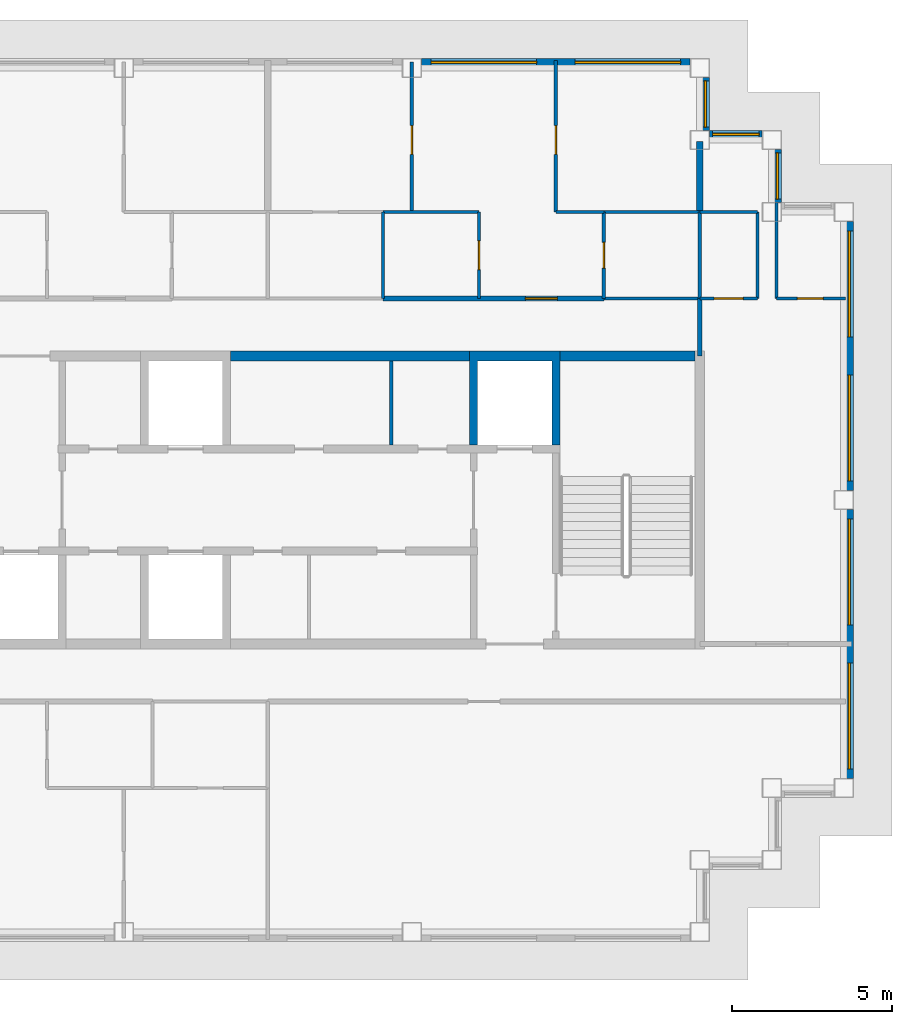
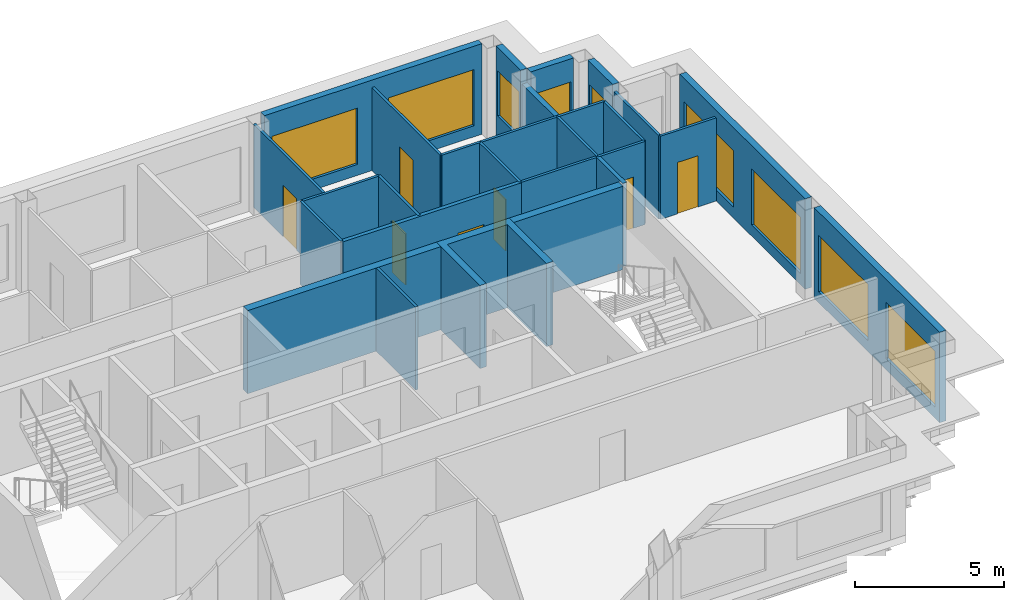
# One storey, part 6 of 12: 28 walls, 9 windows, 7 doors, 16 openings.
"""IFC4 building model written with IfcOpenShell, lengths in metres."""

from ifc_helpers import new_model, si_unit, direction, frame, frame_2d, origin, place, context, subcontext, project, spatial, polyline, rectangle, outline, extrude, material, layer, layer_set, type_object, element, fill, save


model = new_model("IFC4")

# Units and contexts
model_context = context("Model", 3, precision=1e-05, world=origin(), true_north=direction((0.0, 1.0)))
body_context = subcontext(model_context, "Body", "Model", "MODEL_VIEW")
ifc_project = project(units=[si_unit("LENGTHUNIT", "METRE"), si_unit("AREAUNIT", "SQUARE_METRE"), si_unit("VOLUMEUNIT", "CUBIC_METRE"), si_unit("PLANEANGLEUNIT", "RADIAN"), si_unit("MASSUNIT", "GRAM", prefix="KILO")], contexts=[model_context])

# Site, building, storey
site_placement = place(None, origin())
site = spatial("IfcSite", under=ifc_project, at=site_placement, CompositionType="ELEMENT")
building_placement = place(site_placement, origin())
building = spatial("IfcBuilding", under=site, at=building_placement, Name="Caravel Reach Hotel and Residences", CompositionType="ELEMENT")
storey_placement = place(building_placement, frame((0.0, 0.0, 245.300048828125)))
storey = spatial("IfcBuildingStorey", under=building, at=storey_placement, Name="L62", CompositionType="ELEMENT", Elevation=245.300048828125)

# Wall
ifc_material_1 = material(Name="Gypsum board on steel stud", Category="steel")
ifc_layer_1 = layer(ifc_material_1, 0.10009765625)
ifc_layer_set_1 = layer_set([ifc_layer_1], Name="Bathroom pod wall 100 mm")
wall_type_1 = type_object("IfcWallType", Name="Bathroom pod wall 100 mm", PredefinedType="PARTITIONING", material=ifc_layer_set_1)
wall_1_placement = place(storey_placement, frame((42.0, 33.300048828125, 0.0), z_axis=(0.0, 0.0, 1.0), x_axis=(1.0, 0.0, 0.0)))
element("IfcWall", 1, at=wall_1_placement, inside=storey, type_object=wall_type_1, Name="L62 wall w059", PredefinedType="PARTITIONING", context=body_context, shape_type="SweptSolid", body=[
    extrude(rectangle(XDim=3.0, YDim=0.10009765625, at=frame_2d((1.5, 0.0))), origin(), (0.0, 0.0, 1.0), 3.39990234375),
])

# Wall, opening, door
wall_2_placement = place(storey_placement, frame((47.39990234375, 33.300048828125, 0.0), z_axis=(0.0, 0.0, 1.0), x_axis=(1.0, 0.0, 0.0)))
wall_2 = element("IfcWall", 2, at=wall_2_placement, inside=storey, type_object=wall_type_1, Name="L62 wall w061", PredefinedType="PARTITIONING", context=body_context, shape_type="SweptSolid", body=[
    extrude(rectangle(XDim=2.150146484375, YDim=0.10009765625, at=frame_2d((1.0751953125, 0.0))), origin(), (0.0, 0.0, 1.0), 3.39990234375),
])
opening_1_placement = place(wall_2_placement, frame((0.64990234375, 0.0, 0.0)))
opening_1 = element("IfcOpeningElement", 3, at=opening_1_placement, cuts=wall_2, Name="Opening D62-042", PredefinedType="OPENING", context=body_context, shape_type="SweptSolid", body=[
    extrude(rectangle(XDim=0.800048828125, YDim=2.10009765625, at=frame_2d((0.39990234375, 1.050048828125))), frame((0.0, 0.06005859375, 0.0), z_axis=(0.0, -1.0, 0.0), x_axis=(1.0, 0.0, 0.0)), (0.0, 0.0, 1.0), 0.1201171875),
])
ifc_material_2 = material(Name="Timber and steel door leaf", Category="steel")
door_type_1 = type_object("IfcDoorType", Name="Bathroom door 800 x 2100", OperationType="SINGLE_SWING_LEFT", PredefinedType="DOOR", material=ifc_material_2)
door_1_placement = place(opening_1_placement, origin())
door_1 = element("IfcDoor", 4, at=door_1_placement, inside=storey, type_object=door_type_1, Name="door D62-042", OperationType="SINGLE_SWING_LEFT", OverallHeight=2.10009765625, OverallWidth=0.800048828125, PredefinedType="DOOR", context=body_context, shape_type="SweptSolid", body=[
    extrude(rectangle(XDim=0.800048828125, YDim=2.10009765625, at=frame_2d((0.39990234375, 1.050048828125))), frame((0.0, 0.02490234375, 0.0), z_axis=(0.0, -1.0, 0.0), x_axis=(1.0, 0.0, 0.0)), (0.0, 0.0, 1.0), 0.050048828125),
])
fill(opening_1, door_1)

# Walls
wall_3_placement = place(storey_placement, frame((42.0, 36.0, 0.0), z_axis=(0.0, 0.0, 1.0), x_axis=(1.0, 0.0, 0.0)))
element("IfcWall", 5, at=wall_3_placement, inside=storey, type_object=wall_type_1, Name="L62 wall w064", PredefinedType="PARTITIONING", context=body_context, shape_type="SweptSolid", body=[
    extrude(rectangle(XDim=3.0, YDim=0.10009765625, at=frame_2d((1.5, 0.0))), origin(), (0.0, 0.0, 1.0), 3.39990234375),
])
wall_4_placement = place(storey_placement, frame((35.10009765625, 33.300048828125, 0.0), z_axis=(0.0, 0.0, 1.0), x_axis=(0.0, 1.0, 0.0)))
element("IfcWall", 6, at=wall_4_placement, inside=storey, type_object=wall_type_1, Name="L62 wall w074", PredefinedType="PARTITIONING", context=body_context, shape_type="SweptSolid", body=[
    extrude(rectangle(XDim=2.699951171875, YDim=0.10009765625, at=frame_2d((1.35009765625, 0.0))), origin(), (0.0, 0.0, 1.0), 3.39990234375),
])

# Wall, opening, door
wall_5_placement = place(storey_placement, frame((42.0, 33.300048828125, 0.0), z_axis=(0.0, 0.0, 1.0), x_axis=(0.0, 1.0, 0.0)))
wall_5 = element("IfcWall", 7, at=wall_5_placement, inside=storey, type_object=wall_type_1, Name="L62 wall w076", PredefinedType="PARTITIONING", context=body_context, shape_type="SweptSolid", body=[
    extrude(rectangle(XDim=2.699951171875, YDim=0.10009765625, at=frame_2d((1.35009765625, 0.0))), origin(), (0.0, 0.0, 1.0), 3.39990234375),
])
opening_2_placement = place(wall_5_placement, frame((0.949951171875, 0.0, 0.0)))
opening_2 = element("IfcOpeningElement", 8, at=opening_2_placement, cuts=wall_5, Name="Opening D62-026", PredefinedType="OPENING", context=body_context, shape_type="SweptSolid", body=[
    extrude(rectangle(XDim=0.800048828125, YDim=2.10009765625, at=frame_2d((0.39990234375, 1.050048828125))), frame((0.0, 0.06005859375, 0.0), z_axis=(0.0, -1.0, 0.0), x_axis=(1.0, 0.0, 0.0)), (0.0, 0.0, 1.0), 0.1201171875),
])
door_2_placement = place(opening_2_placement, origin())
door_2 = element("IfcDoor", 9, at=door_2_placement, inside=storey, type_object=door_type_1, Name="door D62-026", OperationType="SINGLE_SWING_RIGHT", OverallHeight=2.10009765625, OverallWidth=0.800048828125, PredefinedType="DOOR", context=body_context, shape_type="SweptSolid", body=[
    extrude(rectangle(XDim=0.800048828125, YDim=2.10009765625, at=frame_2d((0.39990234375, 1.050048828125))), frame((0.0, 0.02490234375, 0.0), z_axis=(0.0, -1.0, 0.0), x_axis=(1.0, 0.0, 0.0)), (0.0, 0.0, 1.0), 0.050048828125),
])
fill(opening_2, door_2)

# Walls
wall_6_placement = place(storey_placement, frame((45.0, 33.300048828125, 0.0), z_axis=(0.0, 0.0, 1.0), x_axis=(0.0, 1.0, 0.0)))
element("IfcWall", 10, at=wall_6_placement, inside=storey, type_object=wall_type_1, Name="L62 wall w077", PredefinedType="PARTITIONING", context=body_context, shape_type="SweptSolid", body=[
    extrude(rectangle(XDim=2.699951171875, YDim=0.10009765625, at=frame_2d((1.35009765625, 0.0))), origin(), (0.0, 0.0, 1.0), 3.39990234375),
])
wall_7_placement = place(storey_placement, frame((47.39990234375, 33.300048828125, 0.0), z_axis=(0.0, 0.0, 1.0), x_axis=(0.0, 1.0, 0.0)))
element("IfcWall", 11, at=wall_7_placement, inside=storey, type_object=wall_type_1, Name="L62 wall w078", PredefinedType="PARTITIONING", context=body_context, shape_type="SweptSolid", body=[
    extrude(rectangle(XDim=3.0, YDim=0.10009765625, at=frame_2d((1.5, 0.0))), origin(), (0.0, 0.0, 1.0), 3.39990234375),
])
ifc_material_3 = material(Name="Concrete C60", Category="concrete")
ifc_layer_2 = layer(ifc_material_3, 0.300048828125)
ifc_layer_set_2 = layer_set([ifc_layer_2], Name="Core wall 300 mm EI 120")
wall_type_2 = type_object("IfcWallType", Name="Core wall 300 mm EI 120", PredefinedType="SHEAR", material=ifc_layer_set_2)
wall_8_placement = place(storey_placement, frame((30.33935546875, 31.5, 0.0), z_axis=(0.0, 0.0, 1.0), x_axis=(1.0, 0.0, 0.0)))
element("IfcWall", 12, at=wall_8_placement, inside=storey, type_object=wall_type_2, Name="L62 core wall N2", PredefinedType="SHEAR", context=body_context, shape_type="SweptSolid", body=[
    extrude(rectangle(XDim=7.464111328125, YDim=0.300048828125, at=frame_2d((3.73193359375, 0.0))), origin(), (0.0, 0.0, 1.0), 3.39990234375),
])
wall_9_placement = place(storey_placement, frame((40.625, 31.5, 0.0), z_axis=(0.0, 0.0, 1.0), x_axis=(1.0, 0.0, 0.0)))
element("IfcWall", 13, at=wall_9_placement, inside=storey, type_object=wall_type_2, Name="L62 core wall N3", PredefinedType="SHEAR", context=body_context, shape_type="SweptSolid", body=[
    extrude(rectangle(XDim=4.22509765625, YDim=0.300048828125, at=frame_2d((2.112548828125, 0.0))), origin(), (0.0, 0.0, 1.0), 3.39990234375),
])

# Wall, opening, door
ifc_material_4 = material(Name="Gypsum board on steel stud, fire-rated", Category="steel")
ifc_layer_3 = layer(ifc_material_4, 0.14990234375)
ifc_layer_set_3 = layer_set([ifc_layer_3], Name="Corridor wall 150 mm EI 60")
wall_type_3 = type_object("IfcWallType", Name="Corridor wall 150 mm EI 60", PredefinedType="PARTITIONING", material=ifc_layer_set_3)
wall_10_placement = place(storey_placement, frame((35.10009765625, 33.300048828125, 0.0), z_axis=(0.0, 0.0, 1.0), x_axis=(1.0, 0.0, 0.0)))
wall_10 = element("IfcWall", 14, at=wall_10_placement, inside=storey, type_object=wall_type_3, Name="L62 wall w013", PredefinedType="PARTITIONING", context=body_context, shape_type="SweptSolid", body=[
    extrude(rectangle(XDim=6.89990234375, YDim=0.14990234375, at=frame_2d((3.449951171875, 0.0))), origin(), (0.0, 0.0, 1.0), 3.39990234375),
])
opening_3_placement = place(wall_10_placement, frame((4.449951171875, 0.0, 0.0)))
opening_3 = element("IfcOpeningElement", 15, at=opening_3_placement, cuts=wall_10, Name="Opening D62-023", PredefinedType="OPENING", context=body_context, shape_type="SweptSolid", body=[
    extrude(rectangle(XDim=1.0, YDim=2.199951171875, at=frame_2d((0.5, 1.10009765625))), frame((0.0, 0.0849609375, 0.0), z_axis=(0.0, -1.0, 0.0), x_axis=(1.0, 0.0, 0.0)), (0.0, 0.0, 1.0), 0.169921875),
])
ifc_material_5 = material(Name="Steel fire door leaf", Category="steel")
door_type_2 = type_object("IfcDoorType", Name="Flat entrance door 1000 x 2200 EI 60", OperationType="SINGLE_SWING_LEFT", PredefinedType="DOOR", material=ifc_material_5)
door_3_placement = place(opening_3_placement, origin())
door_3 = element("IfcDoor", 16, at=door_3_placement, inside=storey, type_object=door_type_2, Name="door D62-023", OperationType="SINGLE_SWING_RIGHT", OverallHeight=2.199951171875, OverallWidth=1.0, PredefinedType="DOOR", context=body_context, shape_type="SweptSolid", body=[
    extrude(rectangle(XDim=1.0, YDim=2.199951171875, at=frame_2d((0.5, 1.10009765625))), frame((0.0, 0.02490234375, 0.0), z_axis=(0.0, -1.0, 0.0), x_axis=(1.0, 0.0, 0.0)), (0.0, 0.0, 1.0), 0.050048828125),
])
fill(opening_3, door_3)

# Wall
wall_11_placement = place(storey_placement, frame((45.0, 31.5, 0.0), z_axis=(0.0, 0.0, 1.0), x_axis=(0.0, 1.0, 0.0)))
element("IfcWall", 17, at=wall_11_placement, inside=storey, type_object=wall_type_3, Name="L62 wall w018", PredefinedType="PARTITIONING", context=body_context, shape_type="SweptSolid", body=[
    extrude(rectangle(XDim=1.800048828125, YDim=0.14990234375, at=frame_2d((0.89990234375, 0.0))), origin(), (0.0, 0.0, 1.0), 3.39990234375),
])

# Wall, openings, windows
ifc_material_6 = material(Name="Insulated rainscreen wall, aluminium cladding", Category="aluminium")
ifc_layer_4 = layer(ifc_material_6, 0.25)
ifc_layer_set_4 = layer_set([ifc_layer_4], Name="EW1 Tower rainscreen wall")
wall_type_4 = type_object("IfcWallType", Name="EW1 Tower rainscreen wall", PredefinedType="SOLIDWALL", material=ifc_layer_set_4)
wall_12_placement = place(storey_placement, frame((49.675048828125, 18.300048828125, 0.0), z_axis=(0.0, 0.0, 1.0), x_axis=(0.0, 1.0, 0.0)))
wall_12 = element("IfcWall", 18, at=wall_12_placement, inside=storey, type_object=wall_type_4, Name="External wall L62 E9.1", PredefinedType="SOLIDWALL", context=body_context, shape_type="SweptSolid", body=[
    extrude(rectangle(XDim=8.39990234375, YDim=0.25, at=frame_2d((4.199951171875, 0.0))), origin(), (0.0, 0.0, 1.0), 3.699951171875),
])
opening_4_placement = place(wall_12_placement, frame((0.300048828125, 0.0, 0.449951171875)))
opening_4 = element("IfcOpeningElement", 19, at=opening_4_placement, cuts=wall_12, Name="Opening WN15", PredefinedType="OPENING", context=body_context, shape_type="SweptSolid", body=[
    extrude(rectangle(XDim=3.300048828125, YDim=2.300048828125, at=frame_2d((1.64990234375, 1.14990234375))), frame((0.0, 0.135009765625, 0.0), z_axis=(0.0, -1.0, 0.0), x_axis=(1.0, 0.0, 0.0)), (0.0, 0.0, 1.0), 0.27001953125),
])
opening_5_placement = place(wall_12_placement, frame((4.800048828125, 0.0, 0.449951171875)))
opening_5 = element("IfcOpeningElement", 20, at=opening_5_placement, cuts=wall_12, Name="Opening WN15", PredefinedType="OPENING", context=body_context, shape_type="SweptSolid", body=[
    extrude(rectangle(XDim=3.300048828125, YDim=2.300048828125, at=frame_2d((1.64990234375, 1.14990234375))), frame((0.0, 0.135009765625, 0.0), z_axis=(0.0, -1.0, 0.0), x_axis=(1.0, 0.0, 0.0)), (0.0, 0.0, 1.0), 0.27001953125),
])
ifc_material_7 = material(Name="Dark low-e glazing in black aluminium frame", Category="aluminium")
window_type_1 = type_object("IfcWindowType", Name="Residence living window 3300 x 2300", PartitioningType="SINGLE_PANEL", PredefinedType="WINDOW", material=ifc_material_7)
window_1_placement = place(opening_4_placement, origin())
window_1 = element("IfcWindow", 21, at=window_1_placement, inside=storey, type_object=window_type_1, Name="Window L62 E9.1.1", OverallHeight=2.300048828125, OverallWidth=3.300048828125, PartitioningType="SINGLE_PANEL", PredefinedType="WINDOW", context=body_context, shape_type="SweptSolid", body=[
    extrude(rectangle(XDim=3.300048828125, YDim=2.300048828125, at=frame_2d((1.64990234375, 1.14990234375))), frame((0.0, 0.030029296875, 0.0), z_axis=(0.0, -1.0, 0.0), x_axis=(1.0, 0.0, 0.0)), (0.0, 0.0, 1.0), 0.06005859375),
])
fill(opening_4, window_1)
window_2_placement = place(opening_5_placement, origin())
window_2 = element("IfcWindow", 22, at=window_2_placement, inside=storey, type_object=window_type_1, Name="Window L62 E9.1.2", OverallHeight=2.300048828125, OverallWidth=3.300048828125, PartitioningType="SINGLE_PANEL", PredefinedType="WINDOW", context=body_context, shape_type="SweptSolid", body=[
    extrude(rectangle(XDim=3.300048828125, YDim=2.300048828125, at=frame_2d((1.64990234375, 1.14990234375))), frame((0.0, 0.030029296875, 0.0), z_axis=(0.0, -1.0, 0.0), x_axis=(1.0, 0.0, 0.0)), (0.0, 0.0, 1.0), 0.06005859375),
])
fill(opening_5, window_2)

wall_13_placement = place(storey_placement, frame((49.675048828125, 27.300048828125, 0.0), z_axis=(0.0, 0.0, 1.0), x_axis=(0.0, 1.0, 0.0)))
wall_13 = element("IfcWall", 23, at=wall_13_placement, inside=storey, type_object=wall_type_4, Name="External wall L62 E9.2", PredefinedType="SOLIDWALL", context=body_context, shape_type="SweptSolid", body=[
    extrude(rectangle(XDim=8.39990234375, YDim=0.25, at=frame_2d((4.199951171875, 0.0))), origin(), (0.0, 0.0, 1.0), 3.699951171875),
])
opening_6_placement = place(wall_13_placement, frame((0.300048828125, 0.0, 0.449951171875)))
opening_6 = element("IfcOpeningElement", 24, at=opening_6_placement, cuts=wall_13, Name="Opening WN15", PredefinedType="OPENING", context=body_context, shape_type="SweptSolid", body=[
    extrude(rectangle(XDim=3.300048828125, YDim=2.300048828125, at=frame_2d((1.64990234375, 1.14990234375))), frame((0.0, 0.135009765625, 0.0), z_axis=(0.0, -1.0, 0.0), x_axis=(1.0, 0.0, 0.0)), (0.0, 0.0, 1.0), 0.27001953125),
])
opening_7_placement = place(wall_13_placement, frame((4.800048828125, 0.0, 0.449951171875)))
opening_7 = element("IfcOpeningElement", 25, at=opening_7_placement, cuts=wall_13, Name="Opening WN15", PredefinedType="OPENING", context=body_context, shape_type="SweptSolid", body=[
    extrude(rectangle(XDim=3.300048828125, YDim=2.300048828125, at=frame_2d((1.64990234375, 1.14990234375))), frame((0.0, 0.135009765625, 0.0), z_axis=(0.0, -1.0, 0.0), x_axis=(1.0, 0.0, 0.0)), (0.0, 0.0, 1.0), 0.27001953125),
])
window_3_placement = place(opening_6_placement, origin())
window_3 = element("IfcWindow", 26, at=window_3_placement, inside=storey, type_object=window_type_1, Name="Window L62 E9.2.1", OverallHeight=2.300048828125, OverallWidth=3.300048828125, PartitioningType="SINGLE_PANEL", PredefinedType="WINDOW", context=body_context, shape_type="SweptSolid", body=[
    extrude(rectangle(XDim=3.300048828125, YDim=2.300048828125, at=frame_2d((1.64990234375, 1.14990234375))), frame((0.0, 0.030029296875, 0.0), z_axis=(0.0, -1.0, 0.0), x_axis=(1.0, 0.0, 0.0)), (0.0, 0.0, 1.0), 0.06005859375),
])
fill(opening_6, window_3)
window_4_placement = place(opening_7_placement, origin())
window_4 = element("IfcWindow", 27, at=window_4_placement, inside=storey, type_object=window_type_1, Name="Window L62 E9.2.2", OverallHeight=2.300048828125, OverallWidth=3.300048828125, PartitioningType="SINGLE_PANEL", PredefinedType="WINDOW", context=body_context, shape_type="SweptSolid", body=[
    extrude(rectangle(XDim=3.300048828125, YDim=2.300048828125, at=frame_2d((1.64990234375, 1.14990234375))), frame((0.0, 0.030029296875, 0.0), z_axis=(0.0, -1.0, 0.0), x_axis=(1.0, 0.0, 0.0)), (0.0, 0.0, 1.0), 0.06005859375),
])
fill(opening_7, window_4)

# Wall, opening, window
wall_14_placement = place(storey_placement, frame((47.425048828125, 36.300048828125, 0.0), z_axis=(0.0, 0.0, 1.0), x_axis=(0.0, 1.0, 0.0)))
wall_14 = element("IfcWall", 28, at=wall_14_placement, inside=storey, type_object=wall_type_4, Name="External wall L62 E11.1", PredefinedType="SOLIDWALL", context=body_context, shape_type="SweptSolid", body=[
    extrude(rectangle(XDim=1.64990234375, YDim=0.25, at=frame_2d((0.824951171875, 0.0))), origin(), (0.0, 0.0, 1.0), 3.699951171875),
])
opening_8_placement = place(wall_14_placement, frame((0.10009765625, 0.0, 0.89990234375)))
opening_8 = element("IfcOpeningElement", 29, at=opening_8_placement, cuts=wall_14, Name="Opening WN25", PredefinedType="OPENING", context=body_context, shape_type="SweptSolid", body=[
    extrude(rectangle(XDim=1.449951171875, YDim=1.85009765625, at=frame_2d((0.72509765625, 0.925048828125))), frame((0.0, 0.135009765625, 0.0), z_axis=(0.0, -1.0, 0.0), x_axis=(1.0, 0.0, 0.0)), (0.0, 0.0, 1.0), 0.27001953125),
])
ifc_material_8 = material(Name="Dark low-e glazing in black aluminium frame", Category="aluminium")
window_type_2 = type_object("IfcWindowType", Name="Residence bedroom window 1450 x 1850", PartitioningType="SINGLE_PANEL", PredefinedType="WINDOW", material=ifc_material_8)
window_5_placement = place(opening_8_placement, origin())
window_5 = element("IfcWindow", 30, at=window_5_placement, inside=storey, type_object=window_type_2, Name="Window L62 E11.1.1", OverallHeight=1.85009765625, OverallWidth=1.449951171875, PartitioningType="SINGLE_PANEL", PredefinedType="WINDOW", context=body_context, shape_type="SweptSolid", body=[
    extrude(rectangle(XDim=1.449951171875, YDim=1.85009765625, at=frame_2d((0.72509765625, 0.925048828125))), frame((0.0, 0.030029296875, 0.0), z_axis=(0.0, -1.0, 0.0), x_axis=(1.0, 0.0, 0.0)), (0.0, 0.0, 1.0), 0.06005859375),
])
fill(opening_8, window_5)

wall_15_placement = place(storey_placement, frame((46.949951171875, 38.425048828125, 0.0), z_axis=(0.0, 0.0, 1.0), x_axis=(-1.0, 0.0, 0.0)))
wall_15 = element("IfcWall", 31, at=wall_15_placement, inside=storey, type_object=wall_type_4, Name="External wall L62 N12.1", PredefinedType="SOLIDWALL", context=body_context, shape_type="SweptSolid", body=[
    extrude(rectangle(XDim=1.64990234375, YDim=0.25, at=frame_2d((0.824951171875, 0.0))), origin(), (0.0, 0.0, 1.0), 3.699951171875),
])
opening_9_placement = place(wall_15_placement, frame((0.10009765625, 0.0, 0.89990234375)))
opening_9 = element("IfcOpeningElement", 32, at=opening_9_placement, cuts=wall_15, Name="Opening WN25", PredefinedType="OPENING", context=body_context, shape_type="SweptSolid", body=[
    extrude(rectangle(XDim=1.449951171875, YDim=1.85009765625, at=frame_2d((0.72509765625, 0.925048828125))), frame((0.0, 0.135009765625, 0.0), z_axis=(0.0, -1.0, 0.0), x_axis=(1.0, 0.0, 0.0)), (0.0, 0.0, 1.0), 0.27001953125),
])
window_6_placement = place(opening_9_placement, origin())
window_6 = element("IfcWindow", 33, at=window_6_placement, inside=storey, type_object=window_type_2, Name="Window L62 N12.1.1", OverallHeight=1.85009765625, OverallWidth=1.449951171875, PartitioningType="SINGLE_PANEL", PredefinedType="WINDOW", context=body_context, shape_type="SweptSolid", body=[
    extrude(rectangle(XDim=1.449951171875, YDim=1.85009765625, at=frame_2d((0.72509765625, 0.925048828125))), frame((0.0, 0.030029296875, 0.0), z_axis=(0.0, -1.0, 0.0), x_axis=(1.0, 0.0, 0.0)), (0.0, 0.0, 1.0), 0.06005859375),
])
fill(opening_9, window_6)

wall_16_placement = place(storey_placement, frame((45.175048828125, 38.550048828125, 0.0), z_axis=(0.0, 0.0, 1.0), x_axis=(0.0, 1.0, 0.0)))
wall_16 = element("IfcWall", 34, at=wall_16_placement, inside=storey, type_object=wall_type_4, Name="External wall L62 E13.1", PredefinedType="SOLIDWALL", context=body_context, shape_type="SweptSolid", body=[
    extrude(rectangle(XDim=1.64990234375, YDim=0.25, at=frame_2d((0.824951171875, 0.0))), origin(), (0.0, 0.0, 1.0), 3.699951171875),
])
opening_10_placement = place(wall_16_placement, frame((0.10009765625, 0.0, 0.89990234375)))
opening_10 = element("IfcOpeningElement", 35, at=opening_10_placement, cuts=wall_16, Name="Opening WN25", PredefinedType="OPENING", context=body_context, shape_type="SweptSolid", body=[
    extrude(rectangle(XDim=1.449951171875, YDim=1.85009765625, at=frame_2d((0.72509765625, 0.925048828125))), frame((0.0, 0.135009765625, 0.0), z_axis=(0.0, -1.0, 0.0), x_axis=(1.0, 0.0, 0.0)), (0.0, 0.0, 1.0), 0.27001953125),
])
window_7_placement = place(opening_10_placement, origin())
window_7 = element("IfcWindow", 36, at=window_7_placement, inside=storey, type_object=window_type_2, Name="Window L62 E13.1.1", OverallHeight=1.85009765625, OverallWidth=1.449951171875, PartitioningType="SINGLE_PANEL", PredefinedType="WINDOW", context=body_context, shape_type="SweptSolid", body=[
    extrude(rectangle(XDim=1.449951171875, YDim=1.85009765625, at=frame_2d((0.72509765625, 0.925048828125))), frame((0.0, 0.030029296875, 0.0), z_axis=(0.0, -1.0, 0.0), x_axis=(1.0, 0.0, 0.0)), (0.0, 0.0, 1.0), 0.06005859375),
])
fill(opening_10, window_7)

# Wall, openings, windows
wall_17_placement = place(storey_placement, frame((44.699951171875, 40.675048828125, 0.0), z_axis=(0.0, 0.0, 1.0), x_axis=(-1.0, 0.0, 0.0)))
wall_17 = element("IfcWall", 37, at=wall_17_placement, inside=storey, type_object=wall_type_4, Name="External wall L62 N14.1", PredefinedType="SOLIDWALL", context=body_context, shape_type="SweptSolid", body=[
    extrude(rectangle(XDim=8.39990234375, YDim=0.25, at=frame_2d((4.199951171875, 0.0))), origin(), (0.0, 0.0, 1.0), 3.699951171875),
])
opening_11_placement = place(wall_17_placement, frame((0.300048828125, 0.0, 0.449951171875)))
opening_11 = element("IfcOpeningElement", 38, at=opening_11_placement, cuts=wall_17, Name="Opening WN15", PredefinedType="OPENING", context=body_context, shape_type="SweptSolid", body=[
    extrude(rectangle(XDim=3.300048828125, YDim=2.300048828125, at=frame_2d((1.64990234375, 1.14990234375))), frame((0.0, 0.135009765625, 0.0), z_axis=(0.0, -1.0, 0.0), x_axis=(1.0, 0.0, 0.0)), (0.0, 0.0, 1.0), 0.27001953125),
])
opening_12_placement = place(wall_17_placement, frame((4.800048828125, 0.0, 0.449951171875)))
opening_12 = element("IfcOpeningElement", 39, at=opening_12_placement, cuts=wall_17, Name="Opening WN15", PredefinedType="OPENING", context=body_context, shape_type="SweptSolid", body=[
    extrude(rectangle(XDim=3.300048828125, YDim=2.300048828125, at=frame_2d((1.64990234375, 1.14990234375))), frame((0.0, 0.135009765625, 0.0), z_axis=(0.0, -1.0, 0.0), x_axis=(1.0, 0.0, 0.0)), (0.0, 0.0, 1.0), 0.27001953125),
])
window_8_placement = place(opening_11_placement, origin())
window_8 = element("IfcWindow", 40, at=window_8_placement, inside=storey, type_object=window_type_1, Name="Window L62 N14.1.1", OverallHeight=2.300048828125, OverallWidth=3.300048828125, PartitioningType="SINGLE_PANEL", PredefinedType="WINDOW", context=body_context, shape_type="SweptSolid", body=[
    extrude(rectangle(XDim=3.300048828125, YDim=2.300048828125, at=frame_2d((1.64990234375, 1.14990234375))), frame((0.0, 0.030029296875, 0.0), z_axis=(0.0, -1.0, 0.0), x_axis=(1.0, 0.0, 0.0)), (0.0, 0.0, 1.0), 0.06005859375),
])
fill(opening_11, window_8)
window_9_placement = place(opening_12_placement, origin())
window_9 = element("IfcWindow", 41, at=window_9_placement, inside=storey, type_object=window_type_1, Name="Window L62 N14.1.2", OverallHeight=2.300048828125, OverallWidth=3.300048828125, PartitioningType="SINGLE_PANEL", PredefinedType="WINDOW", context=body_context, shape_type="SweptSolid", body=[
    extrude(rectangle(XDim=3.300048828125, YDim=2.300048828125, at=frame_2d((1.64990234375, 1.14990234375))), frame((0.0, 0.030029296875, 0.0), z_axis=(0.0, -1.0, 0.0), x_axis=(1.0, 0.0, 0.0)), (0.0, 0.0, 1.0), 0.06005859375),
])
fill(opening_12, window_9)

# Wall
ifc_material_9 = material(Name="Gypsum board on steel stud", Category="steel")
ifc_layer_5 = layer(ifc_material_9, 0.10009765625)
ifc_layer_set_5 = layer_set([ifc_layer_5], Name="Partition 100 mm")
wall_type_5 = type_object("IfcWallType", Name="Partition 100 mm", PredefinedType="PARTITIONING", material=ifc_layer_set_5)
wall_18_placement = place(storey_placement, frame((35.357177734375, 28.72509765625, 0.0), z_axis=(0.0, 0.0, 1.0), x_axis=(0.0, 1.0, 0.0)))
element("IfcWall", 42, at=wall_18_placement, inside=storey, type_object=wall_type_5, Name="L62 store partition", PredefinedType="PARTITIONING", context=body_context, shape_type="SweptSolid", body=[
    extrude(rectangle(XDim=2.625, YDim=0.10009765625, at=frame_2d((1.3125, 0.0))), origin(), (0.0, 0.0, 1.0), 3.39990234375),
])

# Wall, opening, door
wall_19_placement = place(storey_placement, frame((45.0, 33.300048828125, 0.0), z_axis=(0.0, 0.0, 1.0), x_axis=(1.0, 0.0, 0.0)))
wall_19 = element("IfcWall", 43, at=wall_19_placement, inside=storey, type_object=wall_type_5, Name="L62 wall w024", PredefinedType="PARTITIONING", context=body_context, shape_type="SweptSolid", body=[
    extrude(rectangle(XDim=1.800048828125, YDim=0.10009765625, at=frame_2d((0.89990234375, 0.0))), origin(), (0.0, 0.0, 1.0), 3.39990234375),
])
opening_13_placement = place(wall_19_placement, frame((0.449951171875, 0.0, 0.0)))
opening_13 = element("IfcOpeningElement", 44, at=opening_13_placement, cuts=wall_19, Name="Opening D62-043", PredefinedType="OPENING", context=body_context, shape_type="SweptSolid", body=[
    extrude(rectangle(XDim=0.89990234375, YDim=2.10009765625, at=frame_2d((0.449951171875, 1.050048828125))), frame((0.0, 0.06005859375, 0.0), z_axis=(0.0, -1.0, 0.0), x_axis=(1.0, 0.0, 0.0)), (0.0, 0.0, 1.0), 0.1201171875),
])
ifc_material_10 = material(Name="Timber and steel door leaf", Category="steel")
door_type_3 = type_object("IfcDoorType", Name="Door 900 x 2100 timber", OperationType="SINGLE_SWING_LEFT", PredefinedType="DOOR", material=ifc_material_10)
door_4_placement = place(opening_13_placement, origin())
door_4 = element("IfcDoor", 45, at=door_4_placement, inside=storey, type_object=door_type_3, Name="door D62-043", OperationType="SINGLE_SWING_RIGHT", OverallHeight=2.10009765625, OverallWidth=0.89990234375, PredefinedType="DOOR", context=body_context, shape_type="SweptSolid", body=[
    extrude(rectangle(XDim=0.89990234375, YDim=2.10009765625, at=frame_2d((0.449951171875, 1.050048828125))), frame((0.0, 0.02490234375, 0.0), z_axis=(0.0, -1.0, 0.0), x_axis=(1.0, 0.0, 0.0)), (0.0, 0.0, 1.0), 0.050048828125),
])
fill(opening_13, door_4)

# Walls
wall_20_placement = place(storey_placement, frame((40.5, 36.0, 0.0), z_axis=(0.0, 0.0, 1.0), x_axis=(1.0, 0.0, 0.0)))
element("IfcWall", 46, at=wall_20_placement, inside=storey, type_object=wall_type_5, Name="L62 wall w028", PredefinedType="PARTITIONING", context=body_context, shape_type="SweptSolid", body=[
    extrude(rectangle(XDim=1.5, YDim=0.10009765625, at=frame_2d((0.75, 0.0))), origin(), (0.0, 0.0, 1.0), 3.39990234375),
])
wall_21_placement = place(storey_placement, frame((35.10009765625, 36.0, 0.0), z_axis=(0.0, 0.0, 1.0), x_axis=(1.0, 0.0, 0.0)))
element("IfcWall", 47, at=wall_21_placement, inside=storey, type_object=wall_type_5, Name="L62 wall w029", PredefinedType="PARTITIONING", context=body_context, shape_type="SweptSolid", body=[
    extrude(rectangle(XDim=3.0, YDim=0.10009765625, at=frame_2d((1.5, 0.0))), origin(), (0.0, 0.0, 1.0), 3.39990234375),
])
wall_22_placement = place(storey_placement, frame((45.0, 36.0, 0.0), z_axis=(0.0, 0.0, 1.0), x_axis=(1.0, 0.0, 0.0)))
element("IfcWall", 48, at=wall_22_placement, inside=storey, type_object=wall_type_5, Name="L62 wall w031", PredefinedType="PARTITIONING", context=body_context, shape_type="SweptSolid", body=[
    extrude(rectangle(XDim=1.800048828125, YDim=0.10009765625, at=frame_2d((0.89990234375, 0.0))), origin(), (0.0, 0.0, 1.0), 3.39990234375),
])

# Wall, opening, door
wall_23_placement = place(storey_placement, frame((36.0, 36.0, 0.0), z_axis=(0.0, 0.0, 1.0), x_axis=(0.0, 1.0, 0.0)))
wall_23 = element("IfcWall", 49, at=wall_23_placement, inside=storey, type_object=wall_type_5, Name="L62 wall w042", PredefinedType="PARTITIONING", context=body_context, shape_type="SweptSolid", body=[
    extrude(rectangle(XDim=4.68994140625, YDim=0.10009765625, at=frame_2d((2.344970703125, 0.0))), origin(), (0.0, 0.0, 1.0), 3.39990234375),
])
opening_14_placement = place(wall_23_placement, frame((1.800048828125, 0.0, 0.0)))
opening_14 = element("IfcOpeningElement", 50, at=opening_14_placement, cuts=wall_23, Name="Opening D62-027", PredefinedType="OPENING", context=body_context, shape_type="SweptSolid", body=[
    extrude(rectangle(XDim=0.89990234375, YDim=2.10009765625, at=frame_2d((0.449951171875, 1.050048828125))), frame((0.0, 0.06005859375, 0.0), z_axis=(0.0, -1.0, 0.0), x_axis=(1.0, 0.0, 0.0)), (0.0, 0.0, 1.0), 0.1201171875),
])
door_5_placement = place(opening_14_placement, origin())
door_5 = element("IfcDoor", 51, at=door_5_placement, inside=storey, type_object=door_type_3, Name="door D62-027", OperationType="SINGLE_SWING_LEFT", OverallHeight=2.10009765625, OverallWidth=0.89990234375, PredefinedType="DOOR", context=body_context, shape_type="SweptSolid", body=[
    extrude(rectangle(XDim=0.89990234375, YDim=2.10009765625, at=frame_2d((0.449951171875, 1.050048828125))), frame((0.0, 0.02490234375, 0.0), z_axis=(0.0, -1.0, 0.0), x_axis=(1.0, 0.0, 0.0)), (0.0, 0.0, 1.0), 0.050048828125),
])
fill(opening_14, door_5)

wall_24_placement = place(storey_placement, frame((38.10009765625, 33.300048828125, 0.0), z_axis=(0.0, 0.0, 1.0), x_axis=(0.0, 1.0, 0.0)))
wall_24 = element("IfcWall", 52, at=wall_24_placement, inside=storey, type_object=wall_type_5, Name="L62 wall w043", PredefinedType="PARTITIONING", context=body_context, shape_type="SweptSolid", body=[
    extrude(rectangle(XDim=2.699951171875, YDim=0.10009765625, at=frame_2d((1.35009765625, 0.0))), origin(), (0.0, 0.0, 1.0), 3.39990234375),
])
opening_15_placement = place(wall_24_placement, frame((0.89990234375, 0.0, 0.0)))
opening_15 = element("IfcOpeningElement", 53, at=opening_15_placement, cuts=wall_24, Name="Opening D62-025", PredefinedType="OPENING", context=body_context, shape_type="SweptSolid", body=[
    extrude(rectangle(XDim=0.89990234375, YDim=2.10009765625, at=frame_2d((0.449951171875, 1.050048828125))), frame((0.0, 0.06005859375, 0.0), z_axis=(0.0, -1.0, 0.0), x_axis=(1.0, 0.0, 0.0)), (0.0, 0.0, 1.0), 0.1201171875),
])
door_6_placement = place(opening_15_placement, origin())
door_6 = element("IfcDoor", 54, at=door_6_placement, inside=storey, type_object=door_type_3, Name="door D62-025", OperationType="SINGLE_SWING_LEFT", OverallHeight=2.10009765625, OverallWidth=0.89990234375, PredefinedType="DOOR", context=body_context, shape_type="SweptSolid", body=[
    extrude(rectangle(XDim=0.89990234375, YDim=2.10009765625, at=frame_2d((0.449951171875, 1.050048828125))), frame((0.0, 0.02490234375, 0.0), z_axis=(0.0, -1.0, 0.0), x_axis=(1.0, 0.0, 0.0)), (0.0, 0.0, 1.0), 0.050048828125),
])
fill(opening_15, door_6)

wall_25_placement = place(storey_placement, frame((40.5, 36.0, 0.0), z_axis=(0.0, 0.0, 1.0), x_axis=(0.0, 1.0, 0.0)))
wall_25 = element("IfcWall", 55, at=wall_25_placement, inside=storey, type_object=wall_type_5, Name="L62 wall w046", PredefinedType="PARTITIONING", context=body_context, shape_type="SweptSolid", body=[
    extrude(rectangle(XDim=4.739990234375, YDim=0.10009765625, at=frame_2d((2.3701171875, 0.0))), origin(), (0.0, 0.0, 1.0), 3.39990234375),
])
opening_16_placement = place(wall_25_placement, frame((1.800048828125, 0.0, 0.0)))
opening_16 = element("IfcOpeningElement", 56, at=opening_16_placement, cuts=wall_25, Name="Opening D62-028", PredefinedType="OPENING", context=body_context, shape_type="SweptSolid", body=[
    extrude(rectangle(XDim=0.89990234375, YDim=2.10009765625, at=frame_2d((0.449951171875, 1.050048828125))), frame((0.0, 0.06005859375, 0.0), z_axis=(0.0, -1.0, 0.0), x_axis=(1.0, 0.0, 0.0)), (0.0, 0.0, 1.0), 0.1201171875),
])
door_7_placement = place(opening_16_placement, origin())
door_7 = element("IfcDoor", 57, at=door_7_placement, inside=storey, type_object=door_type_3, Name="door D62-028", OperationType="SINGLE_SWING_LEFT", OverallHeight=2.10009765625, OverallWidth=0.89990234375, PredefinedType="DOOR", context=body_context, shape_type="SweptSolid", body=[
    extrude(rectangle(XDim=0.89990234375, YDim=2.10009765625, at=frame_2d((0.449951171875, 1.050048828125))), frame((0.0, 0.02490234375, 0.0), z_axis=(0.0, -1.0, 0.0), x_axis=(1.0, 0.0, 0.0)), (0.0, 0.0, 1.0), 0.050048828125),
])
fill(opening_16, door_7)

# Walls
wall_26_placement = place(storey_placement, frame((46.800048828125, 33.300048828125, 0.0), z_axis=(0.0, 0.0, 1.0), x_axis=(0.0, 1.0, 0.0)))
element("IfcWall", 58, at=wall_26_placement, inside=storey, type_object=wall_type_5, Name="L62 wall w047", PredefinedType="PARTITIONING", context=body_context, shape_type="SweptSolid", body=[
    extrude(rectangle(XDim=2.699951171875, YDim=0.10009765625, at=frame_2d((1.35009765625, 0.0))), origin(), (0.0, 0.0, 1.0), 3.39990234375),
])
ifc_material_11 = material(Name="Autoclaved aerated block wall")
ifc_layer_6 = layer(ifc_material_11, 0.199951171875)
ifc_layer_set_6 = layer_set([ifc_layer_6], Name="Party wall 200 mm EI 60")
wall_type_6 = type_object("IfcWallType", Name="Party wall 200 mm EI 60", PredefinedType="PARTITIONING", material=ifc_layer_set_6)
wall_27_placement = place(storey_placement, frame((45.0, 36.0, 0.0), z_axis=(0.0, 0.0, 1.0), x_axis=(0.0, 1.0, 0.0)))
element("IfcWall", 59, at=wall_27_placement, inside=storey, type_object=wall_type_6, Name="L62 wall w050", PredefinedType="PARTITIONING", context=body_context, shape_type="SweptSolid", body=[
    extrude(rectangle(XDim=2.199951171875, YDim=0.199951171875, at=frame_2d((1.10009765625, 0.0))), origin(), (0.0, 0.0, 1.0), 3.39990234375),
])
ifc_material_12 = material(Name="Concrete C60", Category="concrete")
ifc_layer_7 = layer(ifc_material_12, 0.25)
ifc_layer_set_7 = layer_set([ifc_layer_7], Name="Shaft wall 250 mm EI 120")
wall_type_7 = type_object("IfcWallType", Name="Shaft wall 250 mm EI 120", PredefinedType="SHEAR", material=ifc_layer_set_7)
wall_28_placement = place(storey_placement, origin())
element("IfcWall", 60, at=wall_28_placement, inside=storey, type_object=wall_type_7, Name="L62 lift shaft wall N2", PredefinedType="SHEAR", context=body_context, shape_type="SweptSolid", body=[
    extrude(outline(polyline([(37.803466796875, 28.72509765625), (38.053466796875, 28.72509765625), (38.053466796875, 31.35009765625), (40.375, 31.35009765625), (40.375, 28.72509765625), (40.625, 28.72509765625), (40.625, 31.64990234375), (37.803466796875, 31.64990234375), (37.803466796875, 28.72509765625)])), origin(), (0.0, 0.0, 1.0), 3.39990234375),
])

save(model, "model.ifc")
